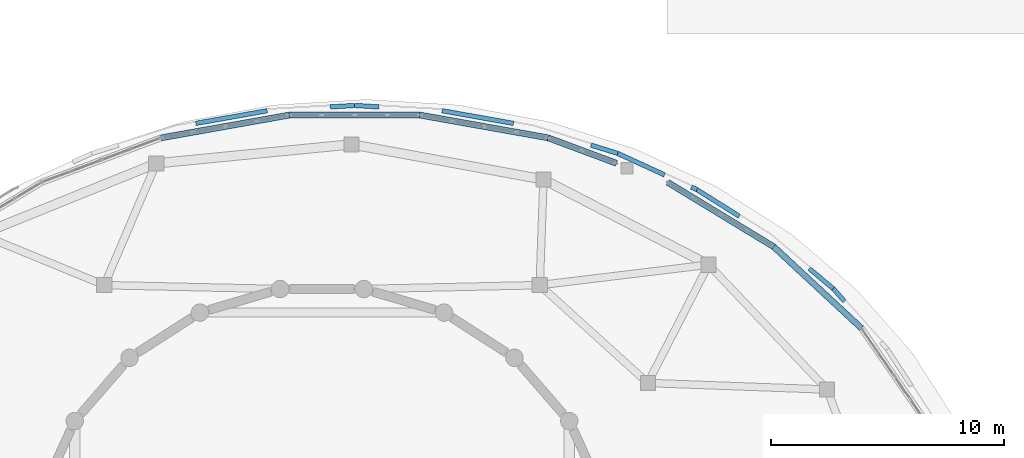
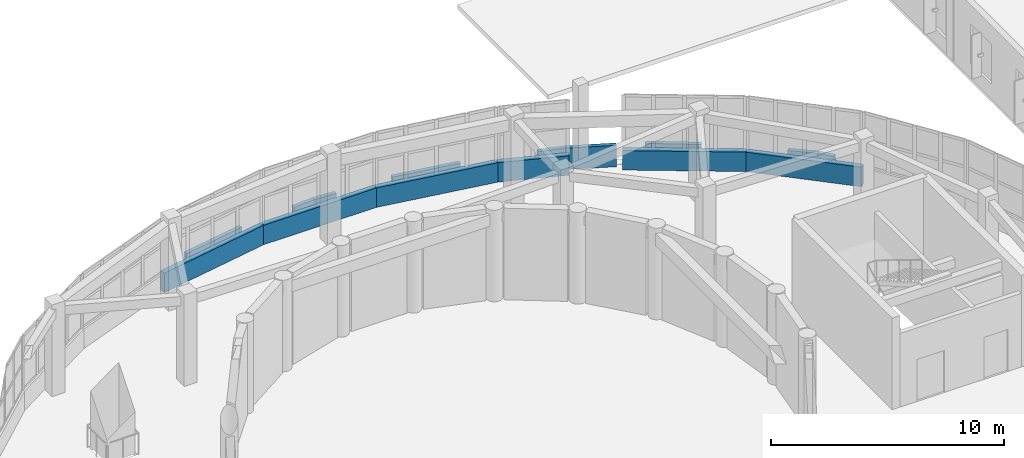
# One storey, part 93 of 105: 16 walls.
"""IFC4 building model written with IfcOpenShell, lengths in metres."""

from ifc_helpers import new_model, si_unit, direction, frame, frame_2d, origin, place, context, subcontext, project, spatial, rectangle, extrude, material, layer, layer_set, type_object, element, save


model = new_model("IFC4")

# Units and contexts
model_context = context("Model", 3, precision=1e-05, world=origin(), true_north=direction((0.0, 1.0)))
body_context = subcontext(model_context, "Body", "Model", "MODEL_VIEW")
ifc_project = project(units=[si_unit("LENGTHUNIT", "METRE"), si_unit("AREAUNIT", "SQUARE_METRE"), si_unit("VOLUMEUNIT", "CUBIC_METRE"), si_unit("PLANEANGLEUNIT", "RADIAN"), si_unit("MASSUNIT", "GRAM", prefix="KILO")], contexts=[model_context])

# Site, building, storey
site_placement = place(None, origin())
site = spatial("IfcSite", under=ifc_project, at=site_placement, CompositionType="ELEMENT")
building_placement = place(site_placement, origin())
building = spatial("IfcBuilding", under=site, at=building_placement, Name="Pelvatis Terrace Science Centre", CompositionType="ELEMENT")
storey_placement = place(building_placement, frame((0.0, 0.0, 10.199951171875)))
storey = spatial("IfcBuildingStorey", under=building, at=storey_placement, Name="L02", CompositionType="ELEMENT", Elevation=10.199951171875)

# Walls
ifc_material_1 = material(Name="White architectural precast concrete C40/50 spandrel", Category="concrete")
ifc_layer_1 = layer(ifc_material_1, 0.260009765625)
ifc_layer_set_1 = layer_set([ifc_layer_1], Name="White architectural precast concrete C40/50 spandrel")
wall_type_1 = type_object("IfcWallType", Name="WL-EXT-SPND-260", PredefinedType="SOLIDWALL", material=ifc_layer_set_1)
wall_1_placement = place(storey_placement, frame((132.322021484375, 96.595703125, 0.0), z_axis=(0.0, 0.0, 1.0), x_axis=(-0.732773133444, 0.680473022906, 0.0)))
element("IfcWall", 1, at=wall_1_placement, inside=storey, type_object=wall_type_1, Name="V1 white spiral spandrel band 04 (L02)", PredefinedType="SOLIDWALL", context=body_context, shape_type="SweptSolid", body=[
    extrude(rectangle(XDim=5.12548828125, YDim=0.260009765625, at=frame_2d((2.562744140625, 0.0))), origin(), (0.0, 0.0, 1.0), 1.02001953125),
])
wall_2_placement = place(storey_placement, frame((128.566162109375, 100.08349609375, 0.0), z_axis=(0.0, 0.0, 1.0), x_axis=(-0.854654271652, 0.51919753076, 0.0)))
element("IfcWall", 2, at=wall_2_placement, inside=storey, type_object=wall_type_1, Name="V1 white spiral spandrel band 05 (L02)", PredefinedType="SOLIDWALL", context=body_context, shape_type="SweptSolid", body=[
    extrude(rectangle(XDim=5.3134765625, YDim=0.260009765625, at=frame_2d((2.65673828125, 0.0))), origin(), (0.0, 0.0, 1.0), 1.02001953125),
])
wall_3_placement = place(storey_placement, frame((121.82080078125, 103.662841796875, 0.0), z_axis=(0.0, 0.0, 1.0), x_axis=(-0.937165922932, 0.348883981998, 0.0)))
element("IfcWall", 3, at=wall_3_placement, inside=storey, type_object=wall_type_1, Name="V1 white spiral spandrel band 06 (L02)", PredefinedType="SOLIDWALL", context=body_context, shape_type="SweptSolid", body=[
    extrude(rectangle(XDim=3.11962890625, YDim=0.260009765625, at=frame_2d((1.559814453125, 0.0))), origin(), (0.0, 0.0, 1.0), 1.02001953125),
])
wall_4_placement = place(storey_placement, frame((118.897216796875, 104.751220703125, 0.0), z_axis=(0.0, 0.0, 1.0), x_axis=(-0.984571727295, 0.174981467052, 0.0)))
element("IfcWall", 4, at=wall_4_placement, inside=storey, type_object=wall_type_1, Name="V1 white spiral spandrel band 07 (L02)", PredefinedType="SOLIDWALL", context=body_context, shape_type="SweptSolid", body=[
    extrude(rectangle(XDim=5.57666015625, YDim=0.260009765625, at=frame_2d((2.788330078125, 0.0))), origin(), (0.0, 0.0, 1.0), 1.02001953125),
])
wall_5_placement = place(storey_placement, frame((113.406494140625, 105.72705078125, 0.0), z_axis=(0.0, 0.0, 1.0), x_axis=(-1.0, 0.0, 0.0)))
element("IfcWall", 5, at=wall_5_placement, inside=storey, type_object=wall_type_1, Name="V1 white spiral spandrel band 08 (L02)", PredefinedType="SOLIDWALL", context=body_context, shape_type="SweptSolid", body=[
    extrude(rectangle(XDim=5.613037109375, YDim=0.260009765625, at=frame_2d((2.806640625, 0.0))), origin(), (0.0, 0.0, 1.0), 1.02001953125),
])
wall_6_placement = place(storey_placement, frame((107.79345703125, 105.72705078125, 0.0), z_axis=(0.0, 0.0, 1.0), x_axis=(-0.984570386785, -0.174989009559, 0.0)))
element("IfcWall", 6, at=wall_6_placement, inside=storey, type_object=wall_type_1, Name="V1 white spiral spandrel band 09 (L02)", PredefinedType="SOLIDWALL", context=body_context, shape_type="SweptSolid", body=[
    extrude(rectangle(XDim=5.576416015625, YDim=0.260009765625, at=frame_2d((2.7880859375, 0.0))), origin(), (0.0, 0.0, 1.0), 1.02001953125),
])
ifc_material_2 = material(Name="White architectural precast concrete C40/50 spandrel parapet", Category="concrete")
ifc_layer_2 = layer(ifc_material_2, 0.18994140625)
ifc_layer_set_2 = layer_set([ifc_layer_2], Name="White architectural precast concrete C40/50 spandrel parapet")
wall_type_2 = type_object("IfcWallType", Name="WL-PAR-190", PredefinedType="PARAPET", material=ifc_layer_set_2)
wall_7_placement = place(storey_placement, frame((103.791015625, 105.37109375, 0.0), z_axis=(0.0, 0.0, 1.0), x_axis=(0.984559800953, 0.175048559968, 0.0)))
element("IfcWall", 7, at=wall_7_placement, inside=storey, type_object=wall_type_2, Name="Perimeter edge closure parapet PW-EDG-L02-255", PredefinedType="PARAPET", context=body_context, shape_type="SweptSolid", body=[
    extrude(rectangle(XDim=3.10888671875, YDim=0.18994140625, at=frame_2d((1.554443359375, 0.0))), origin(), (0.0, 0.0, 1.0), 1.1201171875),
])
wall_8_placement = place(storey_placement, frame((109.551025390625, 106.076904296875, 0.0), z_axis=(0.0, 0.0, 1.0), x_axis=(0.998202344733, 0.059933955071, 0.0)))
element("IfcWall", 8, at=wall_8_placement, inside=storey, type_object=wall_type_2, Name="Perimeter edge closure parapet PW-EDG-L02-256", PredefinedType="PARAPET", context=body_context, shape_type="SweptSolid", body=[
    extrude(rectangle(XDim=1.051025390625, YDim=0.18994140625, at=frame_2d((0.525390625, 0.0))), origin(), (0.0, 0.0, 1.0), 1.1201171875),
])
wall_9_placement = place(storey_placement, frame((110.60009765625, 106.139892578125, 0.0), z_axis=(0.0, 0.0, 1.0), x_axis=(0.998201509995, -0.059947856047, 0.0)))
element("IfcWall", 9, at=wall_9_placement, inside=storey, type_object=wall_type_2, Name="Perimeter edge closure parapet PW-EDG-L02-257", PredefinedType="PARAPET", context=body_context, shape_type="SweptSolid", body=[
    extrude(rectangle(XDim=1.05078125, YDim=0.18994140625, at=frame_2d((0.525390625, 0.0))), origin(), (0.0, 0.0, 1.0), 1.1201171875),
])
wall_10_placement = place(storey_placement, frame((114.34814453125, 105.915283203125, 0.0), z_axis=(0.0, 0.0, 1.0), x_axis=(0.984562207062, -0.175035026283, 0.0)))
element("IfcWall", 10, at=wall_10_placement, inside=storey, type_object=wall_type_2, Name="Perimeter edge closure parapet PW-EDG-L02-258", PredefinedType="PARAPET", context=body_context, shape_type="SweptSolid", body=[
    extrude(rectangle(XDim=3.109130859375, YDim=0.18994140625, at=frame_2d((1.5546875, 0.0))), origin(), (0.0, 0.0, 1.0), 1.1201171875),
])
wall_11_placement = place(storey_placement, frame((120.73095703125, 104.44189453125, 0.0), z_axis=(0.0, 0.0, 1.0), x_axis=(0.954469129989, -0.298309704668, 0.0)))
element("IfcWall", 11, at=wall_11_placement, inside=storey, type_object=wall_type_2, Name="Perimeter edge closure parapet PW-EDG-L02-259", PredefinedType="PARAPET", context=body_context, shape_type="SweptSolid", body=[
    extrude(rectangle(XDim=1.201416015625, YDim=0.18994140625, at=frame_2d((0.6005859375, 0.0))), origin(), (0.0, 0.0, 1.0), 1.1201171875),
])
wall_12_placement = place(storey_placement, frame((121.877685546875, 104.08349609375, 0.0), z_axis=(0.0, 0.0, 1.0), x_axis=(0.909296562757, -0.416148724566, 0.0)))
element("IfcWall", 12, at=wall_12_placement, inside=storey, type_object=wall_type_2, Name="Perimeter edge closure parapet PW-EDG-L02-260", PredefinedType="PARAPET", context=body_context, shape_type="SweptSolid", body=[
    extrude(rectangle(XDim=2.2099609375, YDim=0.18994140625, at=frame_2d((1.10498046875, 0.0))), origin(), (0.0, 0.0, 1.0), 1.1201171875),
])
wall_13_placement = place(storey_placement, frame((125.0341796875, 102.638671875, 0.0), z_axis=(0.0, 0.0, 1.0), x_axis=(0.909266828315, -0.416213689018, 0.0)))
element("IfcWall", 13, at=wall_13_placement, inside=storey, type_object=wall_type_2, Name="Perimeter edge closure parapet PW-EDG-L02-261", PredefinedType="PARAPET", context=body_context, shape_type="SweptSolid", body=[
    extrude(rectangle(XDim=0.266845703125, YDim=0.18994140625, at=frame_2d((0.13330078125, 0.0))), origin(), (0.0, 0.0, 1.0), 1.1201171875),
])
wall_14_placement = place(storey_placement, frame((125.27685546875, 102.527587890625, 0.0), z_axis=(0.0, 0.0, 1.0), x_axis=(0.847030714317, -0.531543948328, 0.0)))
element("IfcWall", 14, at=wall_14_placement, inside=storey, type_object=wall_type_2, Name="Perimeter edge closure parapet PW-EDG-L02-262", PredefinedType="PARAPET", context=body_context, shape_type="SweptSolid", body=[
    extrude(rectangle(XDim=2.1435546875, YDim=0.18994140625, at=frame_2d((1.07177734375, 0.0))), origin(), (0.0, 0.0, 1.0), 1.1201171875),
])
wall_15_placement = place(storey_placement, frame((130.087890625, 99.148193359375, 0.0), z_axis=(0.0, 0.0, 1.0), x_axis=(0.766350721763, -0.642422424308, 0.0)))
element("IfcWall", 15, at=wall_15_placement, inside=storey, type_object=wall_type_2, Name="Perimeter edge closure parapet PW-EDG-L02-263", PredefinedType="PARAPET", context=body_context, shape_type="SweptSolid", body=[
    extrude(rectangle(XDim=1.339599609375, YDim=0.18994140625, at=frame_2d((0.669921875, 0.0))), origin(), (0.0, 0.0, 1.0), 1.1201171875),
])
wall_16_placement = place(storey_placement, frame((131.114501953125, 98.28759765625, 0.0), z_axis=(0.0, 0.0, 1.0), x_axis=(0.666128902502, -0.745836634426, 0.0)))
element("IfcWall", 16, at=wall_16_placement, inside=storey, type_object=wall_type_2, Name="Perimeter edge closure parapet PW-EDG-L02-264", PredefinedType="PARAPET", context=body_context, shape_type="SweptSolid", body=[
    extrude(rectangle(XDim=0.72900390625, YDim=0.18994140625, at=frame_2d((0.364501953125, 0.0))), origin(), (0.0, 0.0, 1.0), 1.1201171875),
])

save(model, "model.ifc")
